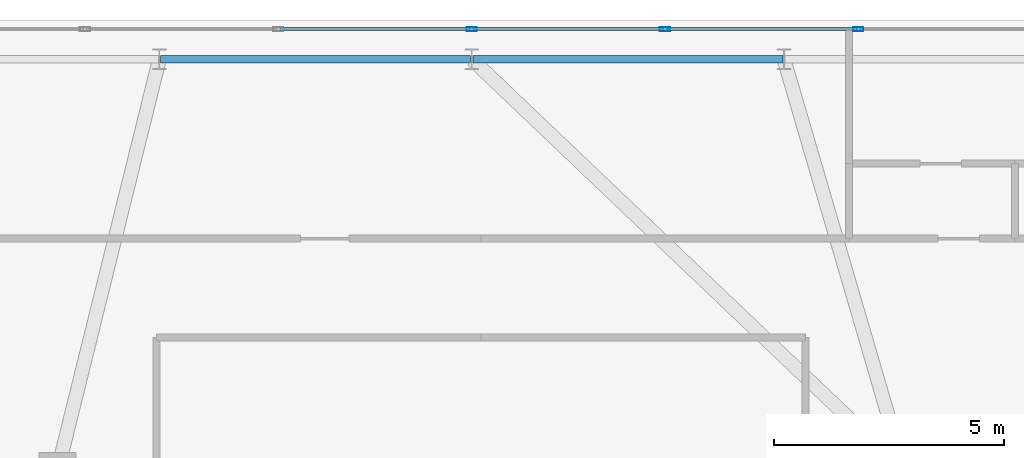
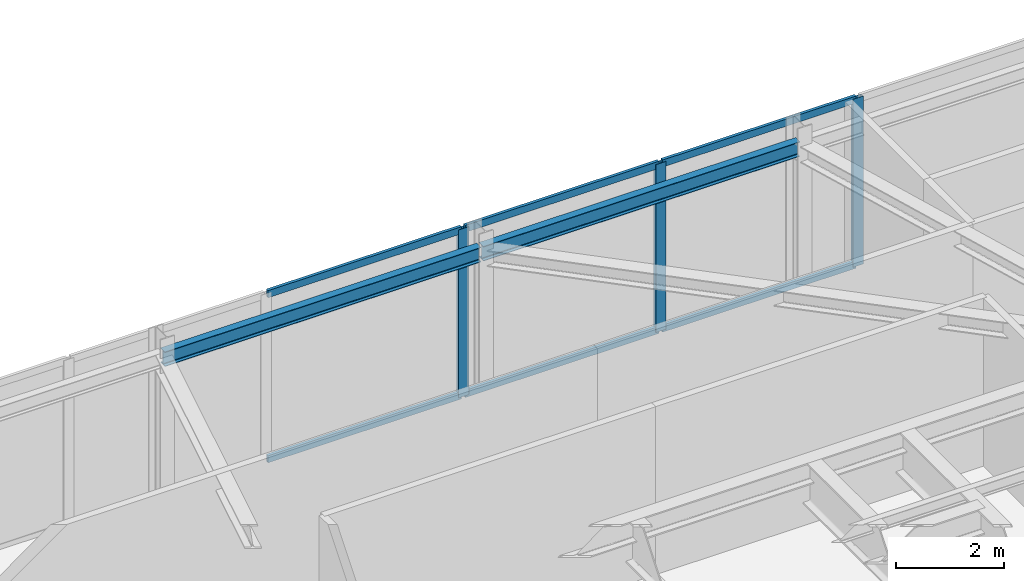
# One storey, part 16 of 24: 9 members, 2 beams, 1 element without a shape of its own.
"""IFC4 building model written with IfcOpenShell, lengths in metres."""

from ifc_helpers import new_model, si_unit, direction, frame, origin, origin_2d, place, context, subcontext, project, spatial, hollow_rectangle, i_section, extrude, material, layer, layer_set, material_profile, profile_set, type_object, element, aggregate, save


model = new_model("IFC4")

# Units and contexts
model_context = context("Model", 3, precision=1e-05, world=origin(), true_north=direction((0.0, 1.0)))
body_context = subcontext(model_context, "Body", "Model", "MODEL_VIEW")
ifc_project = project(units=[si_unit("LENGTHUNIT", "METRE"), si_unit("AREAUNIT", "SQUARE_METRE"), si_unit("VOLUMEUNIT", "CUBIC_METRE"), si_unit("PLANEANGLEUNIT", "RADIAN"), si_unit("MASSUNIT", "GRAM", prefix="KILO")], contexts=[model_context])

# Site, building, storey
site_placement = place(None, origin())
site = spatial("IfcSite", under=ifc_project, at=site_placement, CompositionType="ELEMENT")
building_placement = place(site_placement, origin())
building = spatial("IfcBuilding", under=site, at=building_placement, Name="Qobustan Lattice House", CompositionType="ELEMENT")
storey_placement = place(building_placement, frame((0.0, 0.0, 261.800048828125)))
storey = spatial("IfcBuildingStorey", under=building, at=storey_placement, Name="L74", CompositionType="ELEMENT", Elevation=261.800048828125)

# Beams
ifc_material_1 = material(Name="Steel S355", Category="steel")
ifc_material_profile_1 = material_profile(ifc_material_1, i_section(OverallWidth=0.159912109375, OverallDepth=0.330078125, WebThickness=0.007568359375, FlangeThickness=0.011474609375, FilletRadius=0.01806640625, at=origin_2d()), Name="IPE330")
ifc_profile_set_1 = profile_set([ifc_material_profile_1], Name="Steel S355")
beam_type = type_object("IfcBeamType", Name="BM-SPD-IPE330", PredefinedType="SPANDREL", material=ifc_profile_set_1)
beam_1_placement = place(storey_placement, frame((6.558349609375, 14.550048828125, 3.614990234375), z_axis=(-1.0, 0.0, 0.0), x_axis=(0.0, -1.0, 0.0)))
element("IfcBeam", 1, at=beam_1_placement, inside=storey, type_object=beam_type, Name="L74 perimeter spandrel N3-N4", PredefinedType="SPANDREL", context=body_context, shape_type="SweptSolid", body=[
    extrude(i_section(OverallWidth=0.159912109375, OverallDepth=0.330078125, WebThickness=0.007568359375, FlangeThickness=0.011474609375, FilletRadius=0.01806640625, at=origin_2d()), origin(), (0.0, 0.0, 1.0), 6.7333984375),
])
beam_2_placement = place(storey_placement, frame((-0.22509765625, 14.550048828125, 3.614990234375), z_axis=(-1.0, 0.0, 0.0), x_axis=(0.0, -1.0, 0.0)))
element("IfcBeam", 2, at=beam_2_placement, inside=storey, type_object=beam_type, Name="L74 perimeter spandrel N4-N5", PredefinedType="SPANDREL", context=body_context, shape_type="SweptSolid", body=[
    extrude(i_section(OverallWidth=0.159912109375, OverallDepth=0.330078125, WebThickness=0.007568359375, FlangeThickness=0.011474609375, FilletRadius=0.01806640625, at=origin_2d()), origin(), (0.0, 0.0, 1.0), 6.733154296875),
])

# Curtain wall, members
ifc_material_2 = material(Name="Anodised aluminium and low-E glazing", Category="aluminium")
ifc_layer = layer(ifc_material_2, 0.219970703125)
ifc_layer_set = layer_set([ifc_layer], Name="Anodised aluminium and low-E glazing")
curtain_wall_type = type_object("IfcCurtainWallType", Name="CW-OBS-01", PredefinedType="USERDEFINED", material=ifc_layer_set)
curtain_wall_placement = place(storey_placement, origin())
curtain_wall = element("IfcCurtainWall", 3, at=curtain_wall_placement, inside=storey, type_object=curtain_wall_type, Name="L74 N panoramic observation curtain wall", ObjectType="CURTAIN WALL", PredefinedType="USERDEFINED")
ifc_material_3 = material(Name="Anodised aluminium EN AW-6063 T6", Category="aluminium")
ifc_material_profile_2 = material_profile(ifc_material_3, hollow_rectangle(XDim=0.080078125, YDim=0.219970703125, WallThickness=0.0048828125, at=origin_2d()), Name="CWM-220x80")
ifc_profile_set_2 = profile_set([ifc_material_profile_2], Name="Anodised aluminium EN AW-6063 T6")
member_type_1 = type_object("IfcMemberType", Name="CWM-MAIN-220", PredefinedType="MULLION", material=ifc_profile_set_2)
member_1_placement = place(storey_placement, frame((-0.199951171875, 15.199951171875, 0.0), z_axis=(0.0, 0.0, 1.0), x_axis=(0.0, 1.0, 0.0)))
member_1 = element("IfcMember", 4, at=member_1_placement, type_object=member_type_1, Name="CW-OB mullion 6", PredefinedType="MULLION", context=body_context, shape_type="SweptSolid", body=[
    extrude(hollow_rectangle(XDim=0.080078125, YDim=0.219970703125, WallThickness=0.0048828125, at=origin_2d()), origin(), (0.0, 0.0, 1.0), 3.780029296875),
])
member_2_placement = place(storey_placement, frame((4.0, 15.199951171875, 0.0), z_axis=(0.0, 0.0, 1.0), x_axis=(0.0, 1.0, 0.0)))
member_2 = element("IfcMember", 5, at=member_2_placement, type_object=member_type_1, Name="CW-OB mullion 7", PredefinedType="MULLION", context=body_context, shape_type="SweptSolid", body=[
    extrude(hollow_rectangle(XDim=0.080078125, YDim=0.219970703125, WallThickness=0.0048828125, at=origin_2d()), origin(), (0.0, 0.0, 1.0), 3.780029296875),
])
member_3_placement = place(storey_placement, frame((8.199951171875, 15.199951171875, 0.0), z_axis=(0.0, 0.0, 1.0), x_axis=(0.0, 1.0, 0.0)))
member_3 = element("IfcMember", 6, at=member_3_placement, type_object=member_type_1, Name="CW-OB mullion 8", PredefinedType="MULLION", context=body_context, shape_type="SweptSolid", body=[
    extrude(hollow_rectangle(XDim=0.080078125, YDim=0.219970703125, WallThickness=0.0048828125, at=origin_2d()), origin(), (0.0, 0.0, 1.0), 3.780029296875),
])
ifc_material_4 = material(Name="Anodised aluminium EN AW-6063 T6", Category="aluminium")
ifc_material_profile_3 = material_profile(ifc_material_4, hollow_rectangle(XDim=0.06494140625, YDim=0.159912109375, WallThickness=0.00390625, at=origin_2d()), Name="CWT-160x65")
ifc_profile_set_3 = profile_set([ifc_material_profile_3], Name="Anodised aluminium EN AW-6063 T6")
member_type_2 = type_object("IfcMemberType", Name="CWT-HOR-160", PredefinedType="USERDEFINED", material=ifc_profile_set_3)
member_4_placement = place(storey_placement, frame((-4.360107421875, 15.199951171875, 0.032470703125), z_axis=(1.0, 0.0, 0.0), x_axis=(0.0, 1.0, 0.0)))
member_4 = element("IfcMember", 7, at=member_4_placement, type_object=member_type_2, Name="CW-OB transom 5.1", ObjectType="TRANSOM", PredefinedType="USERDEFINED", context=body_context, shape_type="SweptSolid", body=[
    extrude(hollow_rectangle(XDim=0.06494140625, YDim=0.159912109375, WallThickness=0.00390625, at=origin_2d()), origin(), (0.0, 0.0, 1.0), 4.1201171875),
])
member_5_placement = place(storey_placement, frame((-4.360107421875, 15.199951171875, 3.74755859375), z_axis=(1.0, 0.0, 0.0), x_axis=(0.0, 1.0, 0.0)))
member_5 = element("IfcMember", 8, at=member_5_placement, type_object=member_type_2, Name="CW-OB transom 5.2", ObjectType="TRANSOM", PredefinedType="USERDEFINED", context=body_context, shape_type="SweptSolid", body=[
    extrude(hollow_rectangle(XDim=0.06494140625, YDim=0.159912109375, WallThickness=0.00390625, at=origin_2d()), origin(), (0.0, 0.0, 1.0), 4.1201171875),
])
member_6_placement = place(storey_placement, frame((-0.159912109375, 15.199951171875, 0.032470703125), z_axis=(1.0, 0.0, 0.0), x_axis=(0.0, 1.0, 0.0)))
member_6 = element("IfcMember", 9, at=member_6_placement, type_object=member_type_2, Name="CW-OB transom 6.1", ObjectType="TRANSOM", PredefinedType="USERDEFINED", context=body_context, shape_type="SweptSolid", body=[
    extrude(hollow_rectangle(XDim=0.06494140625, YDim=0.159912109375, WallThickness=0.00390625, at=origin_2d()), origin(), (0.0, 0.0, 1.0), 4.119873046875),
])
member_7_placement = place(storey_placement, frame((-0.159912109375, 15.199951171875, 3.74755859375), z_axis=(1.0, 0.0, 0.0), x_axis=(0.0, 1.0, 0.0)))
member_7 = element("IfcMember", 10, at=member_7_placement, type_object=member_type_2, Name="CW-OB transom 6.2", ObjectType="TRANSOM", PredefinedType="USERDEFINED", context=body_context, shape_type="SweptSolid", body=[
    extrude(hollow_rectangle(XDim=0.06494140625, YDim=0.159912109375, WallThickness=0.00390625, at=origin_2d()), origin(), (0.0, 0.0, 1.0), 4.119873046875),
])
member_8_placement = place(storey_placement, frame((4.0400390625, 15.199951171875, 0.032470703125), z_axis=(1.0, 0.0, 0.0), x_axis=(0.0, 1.0, 0.0)))
member_8 = element("IfcMember", 11, at=member_8_placement, type_object=member_type_2, Name="CW-OB transom 7.1", ObjectType="TRANSOM", PredefinedType="USERDEFINED", context=body_context, shape_type="SweptSolid", body=[
    extrude(hollow_rectangle(XDim=0.06494140625, YDim=0.159912109375, WallThickness=0.00390625, at=origin_2d()), origin(), (0.0, 0.0, 1.0), 4.119873046875),
])
member_9_placement = place(storey_placement, frame((4.0400390625, 15.199951171875, 3.74755859375), z_axis=(1.0, 0.0, 0.0), x_axis=(0.0, 1.0, 0.0)))
member_9 = element("IfcMember", 12, at=member_9_placement, type_object=member_type_2, Name="CW-OB transom 7.2", ObjectType="TRANSOM", PredefinedType="USERDEFINED", context=body_context, shape_type="SweptSolid", body=[
    extrude(hollow_rectangle(XDim=0.06494140625, YDim=0.159912109375, WallThickness=0.00390625, at=origin_2d()), origin(), (0.0, 0.0, 1.0), 4.119873046875),
])
aggregate(curtain_wall, [member_1, member_2, member_3, member_4, member_5, member_6, member_7, member_8, member_9])

save(model, "model.ifc")
